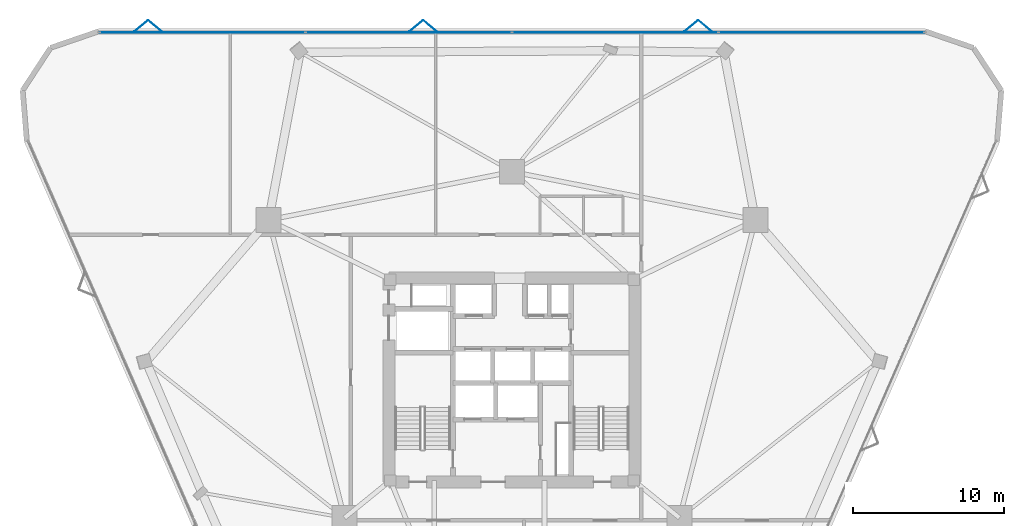
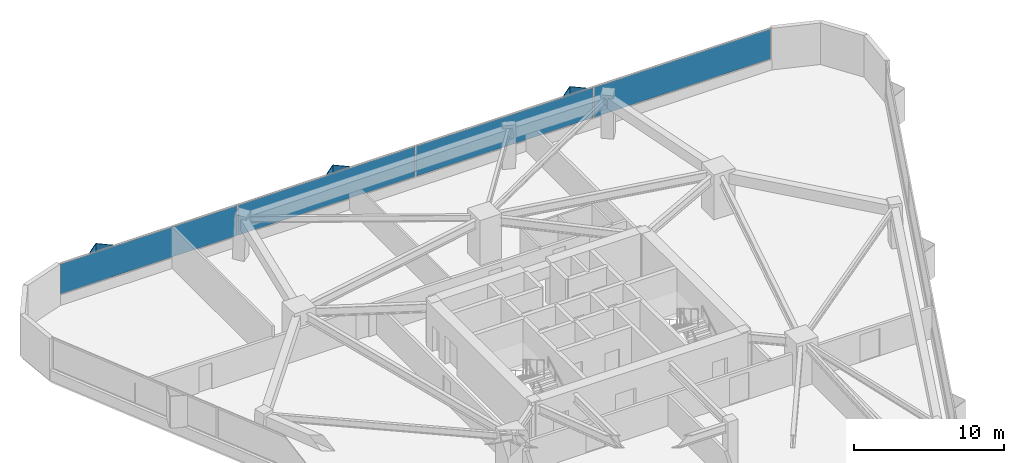
# One storey, part 16 of 20: 10 plates, 1 element without a shape of its own.
"""IFC4 building model written with IfcOpenShell, lengths in metres."""

import ifcopenshell
import ifcopenshell.guid

model = None  # the IFC model being written
_history = None  # IfcOwnerHistory: only IFC2X3 demands one
_inside = {}  # id of a spatial element -> (the spatial element, [elements in it])
_under = {}  # id of a project, library or spatial element -> (it, [spatial elements below it])
_declared = {}  # id of a project -> (the project, [libraries it declares])
_typed = {}  # id of a type object -> (the type object, [elements of that type])
_made_of = {}  # id of a material, layer set ... -> (it, [elements and type objects made of it])


def new_model(schema):
    """Start an empty IFC model of exactly this schema.

    Asked for "IFC4X3", IfcOpenShell would pick the latest addendum, in which some entities
    have other attributes; the version numbers below select the first issue.
    IFC2X3 requires an IfcOwnerHistory on every rooted entity: one is made here for all.
    """
    global model, _history
    if schema == "IFC4X3":
        model = ifcopenshell.file(schema_version=(4, 3, 0, 0))
    else:
        model = ifcopenshell.file(schema=schema)
    _inside.clear()
    _under.clear()
    _declared.clear()
    _typed.clear()
    _made_of.clear()
    _history = None
    if model.schema == "IFC2X3":
        org = make("IfcOrganization", Name="unknown")
        user = make(
            "IfcPersonAndOrganization",
            ThePerson=make("IfcPerson", FamilyName="unknown"),
            TheOrganization=org,
        )
        app = make(
            "IfcApplication",
            ApplicationDeveloper=org,
            Version="unknown",
            ApplicationFullName="unknown",
            ApplicationIdentifier="unknown",
        )
        _history = make(
            "IfcOwnerHistory",
            OwningUser=user,
            OwningApplication=app,
            ChangeAction="ADDED",
            CreationDate=0,
        )
    return model


def make(cls, **values):
    """One entity of the class cls with the attributes given. An attribute that is None is left unset."""
    return model.create_entity(
        cls, **{name: value for name, value in values.items() if value is not None}
    )


def rooted(cls, **values):
    """An entity with a GlobalId (a new one), such as an element, a storey or a relation."""
    return make(cls, GlobalId=ifcopenshell.guid.new(), OwnerHistory=_history, **values)


def si_unit(unit_type, name, prefix=None):
    """IfcSIUnit, for example si_unit("LENGTHUNIT", "METRE", prefix="MILLI")."""
    return make("IfcSIUnit", UnitType=unit_type, Prefix=prefix, Name=name)


def assignment(units):
    """IfcUnitAssignment: the units of a project."""
    return None if units is None else make("IfcUnitAssignment", Units=units)


def point(xyz):
    """IfcCartesianPoint."""
    return None if xyz is None else make("IfcCartesianPoint", Coordinates=xyz)


def direction(xyz):
    """IfcDirection."""
    return None if xyz is None else make("IfcDirection", DirectionRatios=xyz)


def frame(location, z_axis=None, x_axis=None):
    """IfcAxis2Placement3D, a coordinate frame: its origin and axes. An axis left out is left unset."""
    return make(
        "IfcAxis2Placement3D",
        Location=point(location),
        Axis=direction(z_axis),
        RefDirection=direction(x_axis),
    )


def frame_2d(location, x_axis=None):
    """IfcAxis2Placement2D, a coordinate frame in the plane: its origin and x axis."""
    return make(
        "IfcAxis2Placement2D", Location=point(location), RefDirection=direction(x_axis)
    )


def origin():
    """The frame at (0, 0, 0) with its axes left unset."""
    return frame((0.0, 0.0, 0.0))


def origin_2d():
    """The frame at (0, 0) in the plane with its x axis left unset."""
    return frame_2d((0.0, 0.0))


def place(relative_to, where):
    """IfcLocalPlacement: puts the frame where relative to a parent placement (None: the world)."""
    return make(
        "IfcLocalPlacement", PlacementRelTo=relative_to, RelativePlacement=where
    )


def context(
    kind, dimensions, precision=None, world=None, true_north=None, identifier=None
):
    """IfcGeometricRepresentationContext, for example the 3D "Model" context."""
    return make(
        "IfcGeometricRepresentationContext",
        ContextIdentifier=identifier,
        ContextType=kind,
        CoordinateSpaceDimension=dimensions,
        Precision=precision,
        WorldCoordinateSystem=world,
        TrueNorth=true_north,
    )


def subcontext(parent, identifier, kind, view, scale=None):
    """IfcGeometricRepresentationSubContext, for example "Body" below "Model"."""
    return make(
        "IfcGeometricRepresentationSubContext",
        ContextIdentifier=identifier,
        ContextType=kind,
        ParentContext=parent,
        TargetScale=scale,
        TargetView=view,
    )


def project(units=None, contexts=None):
    """IfcProject with its units and contexts."""
    return rooted(
        "IfcProject",
        Name="project",
        RepresentationContexts=contexts,
        UnitsInContext=assignment(units),
    )


def spatial(cls, under=None, at=None, **own):
    """A site, building, storey or space (cls), placed at a placement, below another one or the project."""
    s = rooted(cls, ObjectPlacement=at, **own)
    if under is not None:
        _under.setdefault(under.id(), (under, []))[1].append(s)
    return s


def profile(cls, at=None, kind="AREA", **sizes):
    """A parametric profile (cls). Its sizes go by their IFC names, for example OverallWidth=200.0."""
    return make(cls, ProfileType=kind, Position=at, **sizes)


def rectangle(**sizes):
    """IfcRectangleProfileDef."""
    return profile("IfcRectangleProfileDef", **sizes)


def extrude(swept, where, along, depth):
    """IfcExtrudedAreaSolid: the profile swept, set in the frame where, extruded along a direction by depth."""
    return make(
        "IfcExtrudedAreaSolid",
        SweptArea=swept,
        Position=where,
        ExtrudedDirection=direction(along),
        Depth=depth,
    )


def shape(context_of_items, identifier, shape_type, items):
    """IfcShapeRepresentation: the items that make up one representation, for example the "Body"."""
    return make(
        "IfcShapeRepresentation",
        ContextOfItems=context_of_items,
        RepresentationIdentifier=identifier,
        RepresentationType=shape_type,
        Items=items,
    )


def material(Name=None, Category=None):
    """IfcMaterial."""
    return make("IfcMaterial", Name=Name, Category=Category)


def layer(
    of_material, thickness, ventilated=None, Name=None, Category=None, Priority=None
):
    """IfcMaterialLayer: one layer of a wall or slab, of a material (None: an air gap)."""
    return make(
        "IfcMaterialLayer",
        Material=of_material,
        LayerThickness=thickness,
        IsVentilated=ventilated,
        Name=Name,
        Category=Category,
        Priority=Priority,
    )


def layer_set(layers, Name=None):
    """IfcMaterialLayerSet."""
    return make("IfcMaterialLayerSet", MaterialLayers=layers, LayerSetName=Name)


def made_of(thing, what):
    """Note that an element or type object is made of a material, layer set ...; save() writes the relation."""
    if what is not None:
        _made_of.setdefault(what.id(), (what, []))[1].append(thing)
    return thing


def type_object(cls, material=None, **own):
    """A type object (cls), such as IfcWallType, which elements share."""
    return made_of(rooted(cls, **own), material)


def element(
    cls,
    number,
    at=None,
    inside=None,
    cuts=None,
    type_object=None,
    material=None,
    context=None,
    identifier="Body",
    shape_type=None,
    held_by="IfcProductDefinitionShape",
    body=None,
    shapes=None,
    **own,
):
    """One element of the class cls, such as IfcWall. Its Tag is "e" and its number.

    at: its placement. inside: the storey or other place that contains it. cuts: it is an
    opening in that element (IfcRelVoidsElement). A single representation is given by context,
    identifier, shape_type and body (its items); several are given by shapes. held_by: the class
    of the entity that holds the representations. save() writes the other relations.
    """
    e = rooted(cls, Tag="e%d" % number, ObjectPlacement=at, **own)
    if body is not None:
        shapes = [shape(context, identifier, shape_type, body)]
    if shapes is not None:
        e.Representation = make(held_by, Representations=shapes)
    if inside is not None:
        _inside.setdefault(inside.id(), (inside, []))[1].append(e)
    if cuts is not None:
        rooted(
            "IfcRelVoidsElement", RelatingBuildingElement=cuts, RelatedOpeningElement=e
        )
    if type_object is not None:
        _typed.setdefault(type_object.id(), (type_object, []))[1].append(e)
    return made_of(e, material)


def aggregate(whole, parts):
    """IfcRelAggregates: a whole, such as a stair, and the parts it consists of."""
    return rooted("IfcRelAggregates", RelatingObject=whole, RelatedObjects=parts)


def save(model, path):
    """Write the relations noted so far, then the file.

    IfcRelAggregates (storeys below a building ...), IfcRelContainedInSpatialStructure (elements
    in a storey), IfcRelDefinesByType, IfcRelAssociatesMaterial and IfcRelDeclares: one each for
    every whole, place, type object, material and project.
    """
    for whole, parts in _under.values():
        aggregate(whole, parts)
    for where, things in _inside.values():
        rooted(
            "IfcRelContainedInSpatialStructure",
            RelatedElements=things,
            RelatingStructure=where,
        )
    for kind, things in _typed.values():
        rooted("IfcRelDefinesByType", RelatedObjects=things, RelatingType=kind)
    for what, things in _made_of.values():
        rooted("IfcRelAssociatesMaterial", RelatedObjects=things, RelatingMaterial=what)
    for by, libraries in _declared.values():
        rooted("IfcRelDeclares", RelatingContext=by, RelatedDefinitions=libraries)
    model.write(path)


model = new_model("IFC4")

# Units and contexts
model_context = context("Model", 3, precision=1e-05, world=origin(), true_north=direction((0.0, 1.0)))
body_context = subcontext(model_context, "Body", "Model", "MODEL_VIEW")
ifc_project = project(units=[si_unit("LENGTHUNIT", "METRE"), si_unit("AREAUNIT", "SQUARE_METRE"), si_unit("VOLUMEUNIT", "CUBIC_METRE"), si_unit("PLANEANGLEUNIT", "RADIAN"), si_unit("MASSUNIT", "GRAM", prefix="KILO")], contexts=[model_context])

# Site, building, storey
site_placement = place(None, origin())
site = spatial("IfcSite", under=ifc_project, at=site_placement, CompositionType="ELEMENT")
building_placement = place(site_placement, origin())
building = spatial("IfcBuilding", under=site, at=building_placement, Name="Talyreon Biosciences Tower", CompositionType="ELEMENT")
storey_placement = place(building_placement, frame((0.0, 0.0, 75.0)))
storey = spatial("IfcBuildingStorey", under=building, at=storey_placement, Name="L19", CompositionType="ELEMENT", Elevation=75.0)

# Curtain wall, plates
ifc_material_1 = material(Name="Thermally broken aluminium and low-E glazing", Category="aluminium")
ifc_layer_1 = layer(ifc_material_1, 0.18994140625)
ifc_layer_set_1 = layer_set([ifc_layer_1], Name="Thermally broken aluminium and low-E glazing")
curtain_wall_type = type_object("IfcCurtainWallType", Name="CurtainWall_Zone2Genomics", PredefinedType="NOTDEFINED", material=ifc_layer_set_1)
curtain_wall_placement = place(storey_placement, origin())
curtain_wall = element("IfcCurtainWall", 1, at=curtain_wall_placement, inside=storey, type_object=curtain_wall_type, Name="L19 Unitised Curtain Wall FCW-L19-04", PredefinedType="NOTDEFINED")
ifc_material_2 = material(Name="Triple-silver low-E insulated glazing", Category="glass")
ifc_layer_2 = layer(ifc_material_2, 0.031982421875)
ifc_layer_set_2 = layer_set([ifc_layer_2], Name="Triple-silver low-E insulated glazing")
plate_type_1 = type_object("IfcPlateType", Name="CWGlazingPanel_32", PredefinedType="CURTAIN_PANEL", material=ifc_layer_set_2)
plate_1_placement = place(storey_placement, frame((45.503662109375, 91.007080078125, 0.875), z_axis=(0.0, 0.0, 1.0), x_axis=(1.0, 0.0, 0.0)))
plate_1 = element("IfcPlate", 2, at=plate_1_placement, type_object=plate_type_1, Name="CW3 panel 1.1", PredefinedType="CURTAIN_PANEL", context=body_context, shape_type="SweptSolid", body=[
    extrude(rectangle(XDim=13.577392578125, YDim=0.031982421875, at=origin_2d()), origin(), (0.0, 0.0, 1.0), 2.43505859375),
])
plate_2_placement = place(storey_placement, frame((59.16259765625, 91.007080078125, 0.875), z_axis=(0.0, 0.0, 1.0), x_axis=(1.0, 0.0, 0.0)))
plate_2 = element("IfcPlate", 3, at=plate_2_placement, type_object=plate_type_1, Name="CW3 panel 2.1", PredefinedType="CURTAIN_PANEL", context=body_context, shape_type="SweptSolid", body=[
    extrude(rectangle(XDim=13.610107421875, YDim=0.031982421875, at=origin_2d()), origin(), (0.0, 0.0, 1.0), 2.43505859375),
])
plate_3_placement = place(storey_placement, frame((72.83740234375, 91.007080078125, 0.875), z_axis=(0.0, 0.0, 1.0), x_axis=(1.0, 0.0, 0.0)))
plate_3 = element("IfcPlate", 4, at=plate_3_placement, type_object=plate_type_1, Name="CW3 panel 3.1", PredefinedType="CURTAIN_PANEL", context=body_context, shape_type="SweptSolid", body=[
    extrude(rectangle(XDim=13.610107421875, YDim=0.031982421875, at=origin_2d()), origin(), (0.0, 0.0, 1.0), 2.43505859375),
])
plate_4_placement = place(storey_placement, frame((86.496337890625, 91.007080078125, 0.875), z_axis=(0.0, 0.0, 1.0), x_axis=(1.0, 0.0, 0.0)))
plate_4 = element("IfcPlate", 5, at=plate_4_placement, type_object=plate_type_1, Name="CW3 panel 4.1", PredefinedType="CURTAIN_PANEL", context=body_context, shape_type="SweptSolid", body=[
    extrude(rectangle(XDim=13.577392578125, YDim=0.031982421875, at=origin_2d()), origin(), (0.0, 0.0, 1.0), 2.43505859375),
])
aggregate(curtain_wall, [plate_1, plate_2, plate_3, plate_4])

# Plates
ifc_material_3 = material(Name="Ivory GFRC sunshade panel", Category="concrete")
ifc_layer_3 = layer(ifc_material_3, 0.044921875)
ifc_layer_set_3 = layer_set([ifc_layer_3], Name="Ivory GFRC sunshade panel")
plate_type_2 = type_object("IfcPlateType", Name="FoldedVSunshade_NorthFace_SUNSHADE", PredefinedType="USERDEFINED", material=ifc_layer_set_3)
for number, where, z_axis, x_axis, name in (
    (6, (41.469970703125, 91.447021484375, 0.7900390625), (0.0, 0.0, 1.0), (0.771624583388, 0.636078220278, 0.0), "L19 Folded V-Sunshade Panel 04.01L"),
    (7, (42.3701171875, 91.447021484375, 0.7900390625), (0.0, 0.0, 1.0), (0.771624583388, -0.636078220278, 0.0), "L19 Folded V-Sunshade Panel 04.01R"),
    (8, (59.669921875, 91.447021484375, 0.7900390625), (0.0, 0.0, 1.0), (0.771624583388, 0.636078220278, 0.0), "L19 Folded V-Sunshade Panel 04.02L"),
    (9, (60.570068359375, 91.447021484375, 0.7900390625), (0.0, 0.0, 1.0), (0.771624583388, -0.636078220278, 0.0), "L19 Folded V-Sunshade Panel 04.02R"),
    (10, (77.8701171875, 91.447021484375, 0.7900390625), (0.0, 0.0, 1.0), (0.771624583388, 0.636078220278, 0.0), "L19 Folded V-Sunshade Panel 04.03L"),
    (11, (78.77001953125, 91.447021484375, 0.7900390625), (0.0, 0.0, 1.0), (0.771624583388, -0.636078220278, 0.0), "L19 Folded V-Sunshade Panel 04.03R"),
):
    element("IfcPlate", number, at=place(storey_placement, frame(where, z_axis=z_axis, x_axis=x_axis)), inside=storey, type_object=plate_type_2, Name=name, ObjectType="SUNSHADE", PredefinedType="USERDEFINED", context=body_context, shape_type="SweptSolid", body=[
        extrude(rectangle(XDim=1.14990234375, YDim=0.044921875, at=origin_2d()), origin(), (0.0, 0.0, 1.0), 2.5849609375),
    ])

save(model, "model.ifc")
